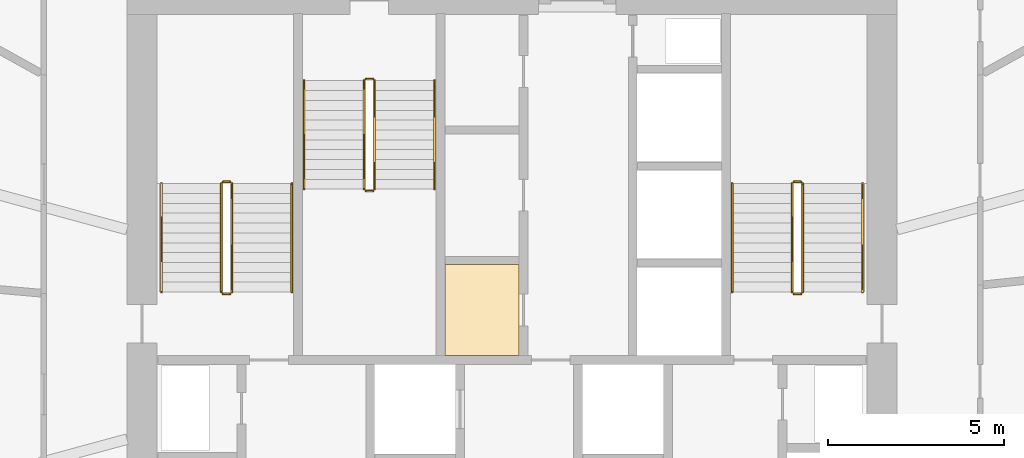
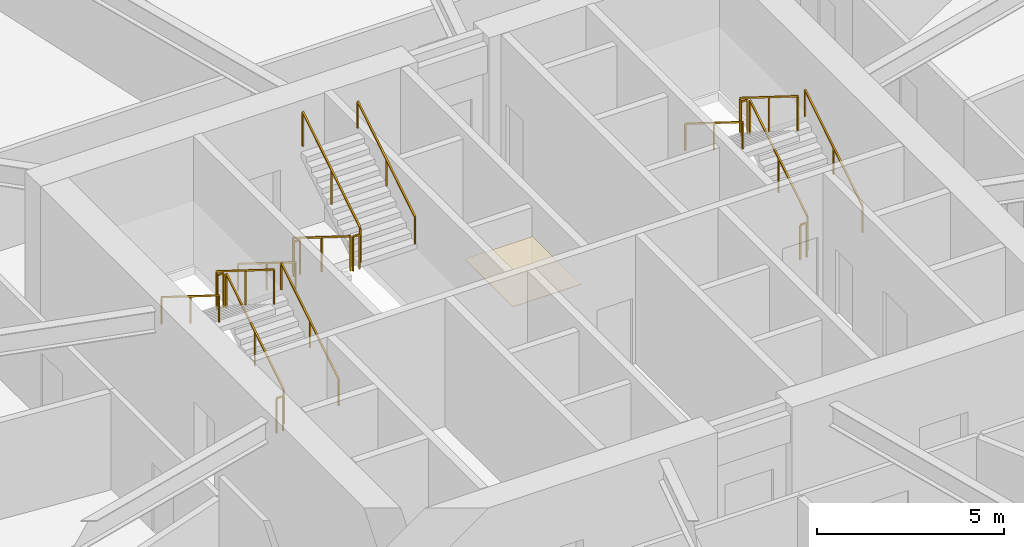
# One storey, part 25 of 25: 18 railings, 1 covering.
"""IFC4 building model written with IfcOpenShell, lengths in metres."""

from ifc_helpers import new_model, si_unit, direction, frame, origin, origin_2d, place, context, subcontext, project, spatial, polyline, rectangle, outline, extrude, material, layer, layer_set, type_object, element, save


model = new_model("IFC4")

# Units and contexts
model_context = context("Model", 3, precision=1e-05, world=origin(), true_north=direction((0.0, 1.0)))
body_context = subcontext(model_context, "Body", "Model", "MODEL_VIEW")
ifc_project = project(units=[si_unit("LENGTHUNIT", "METRE"), si_unit("AREAUNIT", "SQUARE_METRE"), si_unit("VOLUMEUNIT", "CUBIC_METRE"), si_unit("PLANEANGLEUNIT", "RADIAN"), si_unit("MASSUNIT", "GRAM", prefix="KILO")], contexts=[model_context])

# Site, building, storey
site_placement = place(None, origin())
site = spatial("IfcSite", under=ifc_project, at=site_placement, CompositionType="ELEMENT")
building_placement = place(site_placement, origin())
building = spatial("IfcBuilding", under=site, at=building_placement, Name="Zuhravey Tower", CompositionType="ELEMENT")
storey_placement = place(building_placement, frame((0.0, 0.0, 54.0)))
storey = spatial("IfcBuildingStorey", under=building, at=storey_placement, Name="L13", CompositionType="ELEMENT", Elevation=54.0)

# Covering
ifc_material_1 = material(Name="Moisture-resistant gypsum ceiling board")
ifc_layer = layer(ifc_material_1, 0.02001953125)
ifc_layer_set = layer_set([ifc_layer], Name="Moisture-resistant gypsum ceiling board")
covering_type = type_object("IfcCoveringType", Name="Moisture-Resistant Ceiling", PredefinedType="CEILING", material=ifc_layer_set)
covering_placement = place(storey_placement, frame((0.0, 0.0, 2.9599609375)))
element("IfcCovering", 1, at=covering_placement, inside=storey, type_object=covering_type, Name="L13 Wet-Room Ceiling CLG2", PredefinedType="CEILING", context=body_context, shape_type="SweptSolid", body=[
    extrude(outline(polyline([(36.199951171875, 31.39990234375), (36.199951171875, 33.97998046875), (34.10009765625, 33.97998046875), (34.10009765625, 31.39990234375), (36.199951171875, 31.39990234375)])), origin(), (0.0, 0.0, 1.0), 0.02001953125),
])

# Railings
ifc_material_2 = material(Name="Brushed stainless steel", Category="steel")
railing_type_1 = type_object("IfcRailingType", Name="Stair Wall Handrail 900", PredefinedType="HANDRAIL", material=ifc_material_2)
railing_1_placement = place(storey_placement, frame((29.75, 33.199951171875, 0.175048828125)))
element("IfcRailing", 2, at=railing_1_placement, inside=storey, type_object=railing_type_1, Name="L13 ST1 stair handrail 1", PredefinedType="HANDRAIL", context=body_context, shape_type="SweptSolid", body=[
    extrude(rectangle(XDim=0.048095703125, YDim=0.048095703125, at=origin_2d()), frame((0.0, 0.001708984375, 0.876953125), z_axis=(0.0, 0.847998304005, 0.529998940003), x_axis=(-1.0, 0.0, 0.0)), (0.0, 0.0, 1.0), 3.628173828125),
    extrude(rectangle(XDim=0.0419921875, YDim=0.0419921875, at=origin_2d()), origin(), (0.0, 0.0, 1.0), 0.849853515625),
    extrude(rectangle(XDim=0.0419921875, YDim=0.0419921875, at=origin_2d()), frame((0.0, 1.5400390625, 0.96240234375)), (0.0, 0.0, 1.0), 0.849853515625),
    extrude(rectangle(XDim=0.0419921875, YDim=0.0419921875, at=origin_2d()), frame((0.0, 3.080078125, 1.925048828125)), (0.0, 0.0, 1.0), 0.849853515625),
])
railing_2_placement = place(storey_placement, frame((26.050048828125, 36.280029296875, 2.27490234375)))
element("IfcRailing", 3, at=railing_2_placement, inside=storey, type_object=railing_type_1, Name="L13 ST1 stair handrail 2", PredefinedType="HANDRAIL", context=body_context, shape_type="SweptSolid", body=[
    extrude(rectangle(XDim=0.048095703125, YDim=0.048095703125, at=origin_2d()), frame((0.0, -0.001708984375, 0.876953125), z_axis=(0.0, -0.847998304005, 0.529998940003), x_axis=(1.0, 0.0, 0.0)), (0.0, 0.0, 1.0), 3.628173828125),
    extrude(rectangle(XDim=0.0419921875, YDim=0.0419921875, at=origin_2d()), origin(), (0.0, 0.0, 1.0), 0.849853515625),
    extrude(rectangle(XDim=0.0419921875, YDim=0.0419921875, at=origin_2d()), frame((0.0, -1.5400390625, 0.96240234375)), (0.0, 0.0, 1.0), 0.849853515625),
    extrude(rectangle(XDim=0.0419921875, YDim=0.0419921875, at=origin_2d()), frame((0.0, -3.080078125, 1.925048828125)), (0.0, 0.0, 1.0), 0.849853515625),
])
railing_3_placement = place(storey_placement, frame((45.949951171875, 33.199951171875, 0.175048828125)))
element("IfcRailing", 4, at=railing_3_placement, inside=storey, type_object=railing_type_1, Name="L13 ST2 stair handrail 1", PredefinedType="HANDRAIL", context=body_context, shape_type="SweptSolid", body=[
    extrude(rectangle(XDim=0.048095703125, YDim=0.048095703125, at=origin_2d()), frame((0.0, 0.001708984375, 0.876953125), z_axis=(0.0, 0.847998304005, 0.529998940003), x_axis=(-1.0, 0.0, 0.0)), (0.0, 0.0, 1.0), 3.628173828125),
    extrude(rectangle(XDim=0.0419921875, YDim=0.0419921875, at=origin_2d()), origin(), (0.0, 0.0, 1.0), 0.849853515625),
    extrude(rectangle(XDim=0.0419921875, YDim=0.0419921875, at=origin_2d()), frame((0.0, 1.5400390625, 0.96240234375)), (0.0, 0.0, 1.0), 0.849853515625),
    extrude(rectangle(XDim=0.0419921875, YDim=0.0419921875, at=origin_2d()), frame((0.0, 3.080078125, 1.925048828125)), (0.0, 0.0, 1.0), 0.849853515625),
])
railing_4_placement = place(storey_placement, frame((42.25, 36.280029296875, 2.27490234375)))
element("IfcRailing", 5, at=railing_4_placement, inside=storey, type_object=railing_type_1, Name="L13 ST2 stair handrail 2", PredefinedType="HANDRAIL", context=body_context, shape_type="SweptSolid", body=[
    extrude(rectangle(XDim=0.048095703125, YDim=0.048095703125, at=origin_2d()), frame((0.0, -0.001708984375, 0.876953125), z_axis=(0.0, -0.847998304005, 0.529998940003), x_axis=(1.0, 0.0, 0.0)), (0.0, 0.0, 1.0), 3.628173828125),
    extrude(rectangle(XDim=0.0419921875, YDim=0.0419921875, at=origin_2d()), origin(), (0.0, 0.0, 1.0), 0.849853515625),
    extrude(rectangle(XDim=0.0419921875, YDim=0.0419921875, at=origin_2d()), frame((0.0, -1.5400390625, 0.96240234375)), (0.0, 0.0, 1.0), 0.849853515625),
    extrude(rectangle(XDim=0.0419921875, YDim=0.0419921875, at=origin_2d()), frame((0.0, -3.080078125, 1.925048828125)), (0.0, 0.0, 1.0), 0.849853515625),
])
railing_5_placement = place(storey_placement, frame((30.10009765625, 39.199951171875, 0.175048828125)))
element("IfcRailing", 6, at=railing_5_placement, inside=storey, type_object=railing_type_1, Name="L13 ST3 stair handrail 1", PredefinedType="HANDRAIL", context=body_context, shape_type="SweptSolid", body=[
    extrude(rectangle(XDim=0.048095703125, YDim=0.048095703125, at=origin_2d()), frame((0.0, -0.001708984375, 0.876953125), z_axis=(0.0, -0.847979421464, 0.530029150871), x_axis=(1.0, 0.0, 0.0)), (0.0, 0.0, 1.0), 3.6279296875),
    extrude(rectangle(XDim=0.0419921875, YDim=0.0419921875, at=origin_2d()), origin(), (0.0, 0.0, 1.0), 0.849853515625),
    extrude(rectangle(XDim=0.0419921875, YDim=0.0419921875, at=origin_2d()), frame((0.0, -1.5400390625, 0.96240234375)), (0.0, 0.0, 1.0), 0.849853515625),
    extrude(rectangle(XDim=0.0419921875, YDim=0.0419921875, at=origin_2d()), frame((0.0, -3.079833984375, 1.925048828125)), (0.0, 0.0, 1.0), 0.849853515625),
])
railing_6_placement = place(storey_placement, frame((33.800048828125, 36.1201171875, 2.27490234375)))
element("IfcRailing", 7, at=railing_6_placement, inside=storey, type_object=railing_type_1, Name="L13 ST3 stair handrail 2", PredefinedType="HANDRAIL", context=body_context, shape_type="SweptSolid", body=[
    extrude(rectangle(XDim=0.048095703125, YDim=0.048095703125, at=origin_2d()), frame((0.0, 0.001708984375, 0.876953125), z_axis=(0.0, 0.847979421464, 0.530029150871), x_axis=(-1.0, 0.0, 0.0)), (0.0, 0.0, 1.0), 3.6279296875),
    extrude(rectangle(XDim=0.0419921875, YDim=0.0419921875, at=origin_2d()), origin(), (0.0, 0.0, 1.0), 0.849853515625),
    extrude(rectangle(XDim=0.0419921875, YDim=0.0419921875, at=origin_2d()), frame((0.0, 1.5400390625, 0.96240234375)), (0.0, 0.0, 1.0), 0.849853515625),
    extrude(rectangle(XDim=0.0419921875, YDim=0.0419921875, at=origin_2d()), frame((0.0, 3.079833984375, 1.925048828125)), (0.0, 0.0, 1.0), 0.849853515625),
])
ifc_material_3 = material(Name="Painted tubular steel", Category="steel")
railing_type_2 = type_object("IfcRailingType", Name="Stair Well Guardrail 1150", PredefinedType="GUARDRAIL", material=ifc_material_3)
railing_7_placement = place(storey_placement, frame((28.050048828125, 33.199951171875, 0.175048828125)))
element("IfcRailing", 8, at=railing_7_placement, inside=storey, type_object=railing_type_2, Name="L13 ST1 stair guard 1", PredefinedType="GUARDRAIL", context=body_context, shape_type="SweptSolid", body=[
    extrude(rectangle(XDim=0.048095703125, YDim=0.048095703125, at=origin_2d()), frame((0.0, 0.001708984375, 1.126953125), z_axis=(0.0, 0.847998304005, 0.529998940003), x_axis=(-1.0, 0.0, 0.0)), (0.0, 0.0, 1.0), 3.628173828125),
    extrude(rectangle(XDim=0.0419921875, YDim=0.0419921875, at=origin_2d()), origin(), (0.0, 0.0, 1.0), 1.099853515625),
    extrude(rectangle(XDim=0.0419921875, YDim=0.0419921875, at=origin_2d()), frame((0.0, 1.5400390625, 0.96240234375)), (0.0, 0.0, 1.0), 1.099853515625),
    extrude(rectangle(XDim=0.0419921875, YDim=0.0419921875, at=origin_2d()), frame((0.0, 3.080078125, 1.925048828125)), (0.0, 0.0, 1.0), 1.099853515625),
])
railing_8_placement = place(storey_placement, frame((28.0, 36.330078125, 2.10009765625)))
element("IfcRailing", 9, at=railing_8_placement, inside=storey, type_object=railing_type_2, Name="L13 ST1 stair guard 2", PredefinedType="GUARDRAIL", context=body_context, shape_type="SweptSolid", body=[
    extrude(rectangle(XDim=0.048095703125, YDim=0.048095703125, at=origin_2d()), frame((-0.001953125, 0.0, 1.1259765625), z_axis=(-1.0, 0.0, 0.0), x_axis=(0.0, -1.0, 0.0)), (0.0, 0.0, 1.0), 0.196044921875),
    extrude(rectangle(XDim=0.0419921875, YDim=0.0419921875, at=origin_2d()), origin(), (0.0, 0.0, 1.0), 1.099853515625),
    extrude(rectangle(XDim=0.0419921875, YDim=0.0419921875, at=origin_2d()), frame((-0.199951171875, 0.0, 0.0)), (0.0, 0.0, 1.0), 1.099853515625),
])
railing_9_placement = place(storey_placement, frame((27.75, 36.280029296875, 2.27490234375)))
element("IfcRailing", 10, at=railing_9_placement, inside=storey, type_object=railing_type_2, Name="L13 ST1 stair guard 3", PredefinedType="GUARDRAIL", context=body_context, shape_type="SweptSolid", body=[
    extrude(rectangle(XDim=0.048095703125, YDim=0.048095703125, at=origin_2d()), frame((0.0, -0.001708984375, 1.126953125), z_axis=(0.0, -0.847998304005, 0.529998940003), x_axis=(1.0, 0.0, 0.0)), (0.0, 0.0, 1.0), 3.628173828125),
    extrude(rectangle(XDim=0.0419921875, YDim=0.0419921875, at=origin_2d()), origin(), (0.0, 0.0, 1.0), 1.099853515625),
    extrude(rectangle(XDim=0.0419921875, YDim=0.0419921875, at=origin_2d()), frame((0.0, -1.5400390625, 0.96240234375)), (0.0, 0.0, 1.0), 1.099853515625),
    extrude(rectangle(XDim=0.0419921875, YDim=0.0419921875, at=origin_2d()), frame((0.0, -3.080078125, 1.925048828125)), (0.0, 0.0, 1.0), 1.099853515625),
])
railing_10_placement = place(storey_placement, frame((28.0, 33.14990234375, 0.0)))
element("IfcRailing", 11, at=railing_10_placement, inside=storey, type_object=railing_type_2, Name="L13 ST1 stair guard 4", PredefinedType="GUARDRAIL", context=body_context, shape_type="SweptSolid", body=[
    extrude(rectangle(XDim=0.048095703125, YDim=0.048095703125, at=origin_2d()), frame((-0.001953125, 0.0, 1.1259765625), z_axis=(-1.0, 0.0, 0.0), x_axis=(0.0, -1.0, 0.0)), (0.0, 0.0, 1.0), 0.196044921875),
    extrude(rectangle(XDim=0.0419921875, YDim=0.0419921875, at=origin_2d()), origin(), (0.0, 0.0, 1.0), 1.099853515625),
    extrude(rectangle(XDim=0.0419921875, YDim=0.0419921875, at=origin_2d()), frame((-0.199951171875, 0.0, 0.0)), (0.0, 0.0, 1.0), 1.099853515625),
])
railing_11_placement = place(storey_placement, frame((44.25, 33.199951171875, 0.175048828125)))
element("IfcRailing", 12, at=railing_11_placement, inside=storey, type_object=railing_type_2, Name="L13 ST2 stair guard 1", PredefinedType="GUARDRAIL", context=body_context, shape_type="SweptSolid", body=[
    extrude(rectangle(XDim=0.048095703125, YDim=0.048095703125, at=origin_2d()), frame((0.0, 0.001708984375, 1.126953125), z_axis=(0.0, 0.847998304005, 0.529998940003), x_axis=(-1.0, 0.0, 0.0)), (0.0, 0.0, 1.0), 3.628173828125),
    extrude(rectangle(XDim=0.0419921875, YDim=0.0419921875, at=origin_2d()), origin(), (0.0, 0.0, 1.0), 1.099853515625),
    extrude(rectangle(XDim=0.0419921875, YDim=0.0419921875, at=origin_2d()), frame((0.0, 1.5400390625, 0.96240234375)), (0.0, 0.0, 1.0), 1.099853515625),
    extrude(rectangle(XDim=0.0419921875, YDim=0.0419921875, at=origin_2d()), frame((0.0, 3.080078125, 1.925048828125)), (0.0, 0.0, 1.0), 1.099853515625),
])
railing_12_placement = place(storey_placement, frame((44.199951171875, 36.330078125, 2.10009765625)))
element("IfcRailing", 13, at=railing_12_placement, inside=storey, type_object=railing_type_2, Name="L13 ST2 stair guard 2", PredefinedType="GUARDRAIL", context=body_context, shape_type="SweptSolid", body=[
    extrude(rectangle(XDim=0.048095703125, YDim=0.048095703125, at=origin_2d()), frame((-0.001953125, 0.0, 1.1259765625), z_axis=(-1.0, 0.0, 0.0), x_axis=(0.0, -1.0, 0.0)), (0.0, 0.0, 1.0), 0.196044921875),
    extrude(rectangle(XDim=0.0419921875, YDim=0.0419921875, at=origin_2d()), origin(), (0.0, 0.0, 1.0), 1.099853515625),
    extrude(rectangle(XDim=0.0419921875, YDim=0.0419921875, at=origin_2d()), frame((-0.199951171875, 0.0, 0.0)), (0.0, 0.0, 1.0), 1.099853515625),
])
railing_13_placement = place(storey_placement, frame((43.949951171875, 36.280029296875, 2.27490234375)))
element("IfcRailing", 14, at=railing_13_placement, inside=storey, type_object=railing_type_2, Name="L13 ST2 stair guard 3", PredefinedType="GUARDRAIL", context=body_context, shape_type="SweptSolid", body=[
    extrude(rectangle(XDim=0.048095703125, YDim=0.048095703125, at=origin_2d()), frame((0.0, -0.001708984375, 1.126953125), z_axis=(0.0, -0.847998304005, 0.529998940003), x_axis=(1.0, 0.0, 0.0)), (0.0, 0.0, 1.0), 3.628173828125),
    extrude(rectangle(XDim=0.0419921875, YDim=0.0419921875, at=origin_2d()), origin(), (0.0, 0.0, 1.0), 1.099853515625),
    extrude(rectangle(XDim=0.0419921875, YDim=0.0419921875, at=origin_2d()), frame((0.0, -1.5400390625, 0.96240234375)), (0.0, 0.0, 1.0), 1.099853515625),
    extrude(rectangle(XDim=0.0419921875, YDim=0.0419921875, at=origin_2d()), frame((0.0, -3.080078125, 1.925048828125)), (0.0, 0.0, 1.0), 1.099853515625),
])
railing_14_placement = place(storey_placement, frame((44.199951171875, 33.14990234375, 0.0)))
element("IfcRailing", 15, at=railing_14_placement, inside=storey, type_object=railing_type_2, Name="L13 ST2 stair guard 4", PredefinedType="GUARDRAIL", context=body_context, shape_type="SweptSolid", body=[
    extrude(rectangle(XDim=0.048095703125, YDim=0.048095703125, at=origin_2d()), frame((-0.001953125, 0.0, 1.1259765625), z_axis=(-1.0, 0.0, 0.0), x_axis=(0.0, -1.0, 0.0)), (0.0, 0.0, 1.0), 0.196044921875),
    extrude(rectangle(XDim=0.0419921875, YDim=0.0419921875, at=origin_2d()), origin(), (0.0, 0.0, 1.0), 1.099853515625),
    extrude(rectangle(XDim=0.0419921875, YDim=0.0419921875, at=origin_2d()), frame((-0.199951171875, 0.0, 0.0)), (0.0, 0.0, 1.0), 1.099853515625),
])
railing_15_placement = place(storey_placement, frame((31.800048828125, 39.199951171875, 0.175048828125)))
element("IfcRailing", 16, at=railing_15_placement, inside=storey, type_object=railing_type_2, Name="L13 ST3 stair guard 1", PredefinedType="GUARDRAIL", context=body_context, shape_type="SweptSolid", body=[
    extrude(rectangle(XDim=0.048095703125, YDim=0.048095703125, at=origin_2d()), frame((0.0, -0.001708984375, 1.126953125), z_axis=(0.0, -0.847979421464, 0.530029150871), x_axis=(1.0, 0.0, 0.0)), (0.0, 0.0, 1.0), 3.6279296875),
    extrude(rectangle(XDim=0.0419921875, YDim=0.0419921875, at=origin_2d()), origin(), (0.0, 0.0, 1.0), 1.099853515625),
    extrude(rectangle(XDim=0.0419921875, YDim=0.0419921875, at=origin_2d()), frame((0.0, -1.5400390625, 0.96240234375)), (0.0, 0.0, 1.0), 1.099853515625),
    extrude(rectangle(XDim=0.0419921875, YDim=0.0419921875, at=origin_2d()), frame((0.0, -3.079833984375, 1.925048828125)), (0.0, 0.0, 1.0), 1.099853515625),
])
railing_16_placement = place(storey_placement, frame((31.85009765625, 36.070068359375, 2.10009765625)))
element("IfcRailing", 17, at=railing_16_placement, inside=storey, type_object=railing_type_2, Name="L13 ST3 stair guard 2", PredefinedType="GUARDRAIL", context=body_context, shape_type="SweptSolid", body=[
    extrude(rectangle(XDim=0.048095703125, YDim=0.048095703125, at=origin_2d()), frame((0.001953125, 0.0, 1.1259765625), z_axis=(1.0, 0.0, 0.0), x_axis=(0.0, 1.0, 0.0)), (0.0, 0.0, 1.0), 0.196044921875),
    extrude(rectangle(XDim=0.0419921875, YDim=0.0419921875, at=origin_2d()), origin(), (0.0, 0.0, 1.0), 1.099853515625),
    extrude(rectangle(XDim=0.0419921875, YDim=0.0419921875, at=origin_2d()), frame((0.199951171875, 0.0, 0.0)), (0.0, 0.0, 1.0), 1.099853515625),
])
railing_17_placement = place(storey_placement, frame((32.10009765625, 36.1201171875, 2.27490234375)))
element("IfcRailing", 18, at=railing_17_placement, inside=storey, type_object=railing_type_2, Name="L13 ST3 stair guard 3", PredefinedType="GUARDRAIL", context=body_context, shape_type="SweptSolid", body=[
    extrude(rectangle(XDim=0.048095703125, YDim=0.048095703125, at=origin_2d()), frame((0.0, 0.001708984375, 1.126953125), z_axis=(0.0, 0.847979421464, 0.530029150871), x_axis=(-1.0, 0.0, 0.0)), (0.0, 0.0, 1.0), 3.6279296875),
    extrude(rectangle(XDim=0.0419921875, YDim=0.0419921875, at=origin_2d()), origin(), (0.0, 0.0, 1.0), 1.099853515625),
    extrude(rectangle(XDim=0.0419921875, YDim=0.0419921875, at=origin_2d()), frame((0.0, 1.5400390625, 0.96240234375)), (0.0, 0.0, 1.0), 1.099853515625),
    extrude(rectangle(XDim=0.0419921875, YDim=0.0419921875, at=origin_2d()), frame((0.0, 3.079833984375, 1.925048828125)), (0.0, 0.0, 1.0), 1.099853515625),
])
railing_18_placement = place(storey_placement, frame((31.85009765625, 39.25, 0.0)))
element("IfcRailing", 19, at=railing_18_placement, inside=storey, type_object=railing_type_2, Name="L13 ST3 stair guard 4", PredefinedType="GUARDRAIL", context=body_context, shape_type="SweptSolid", body=[
    extrude(rectangle(XDim=0.048095703125, YDim=0.048095703125, at=origin_2d()), frame((0.001953125, 0.0, 1.1259765625), z_axis=(1.0, 0.0, 0.0), x_axis=(0.0, 1.0, 0.0)), (0.0, 0.0, 1.0), 0.196044921875),
    extrude(rectangle(XDim=0.0419921875, YDim=0.0419921875, at=origin_2d()), origin(), (0.0, 0.0, 1.0), 1.099853515625),
    extrude(rectangle(XDim=0.0419921875, YDim=0.0419921875, at=origin_2d()), frame((0.199951171875, 0.0, 0.0)), (0.0, 0.0, 1.0), 1.099853515625),
])

save(model, "model.ifc")
